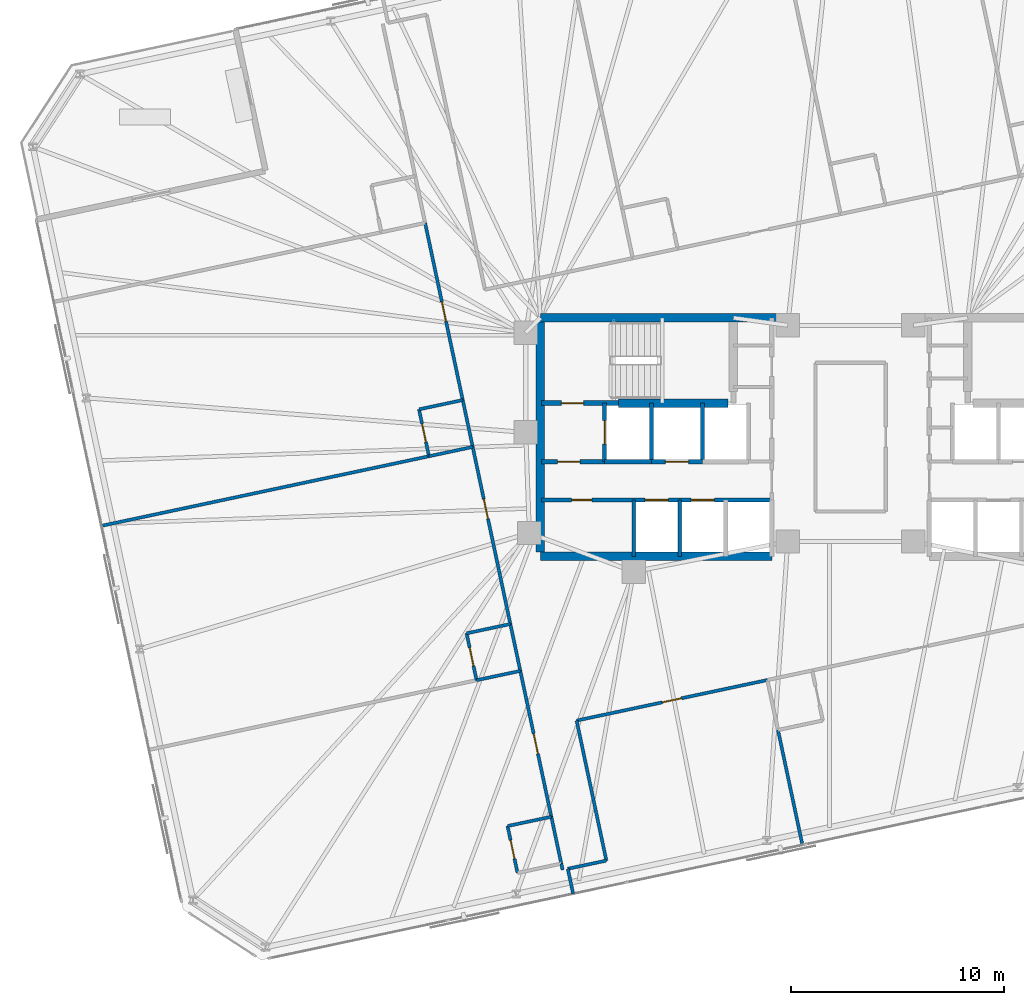
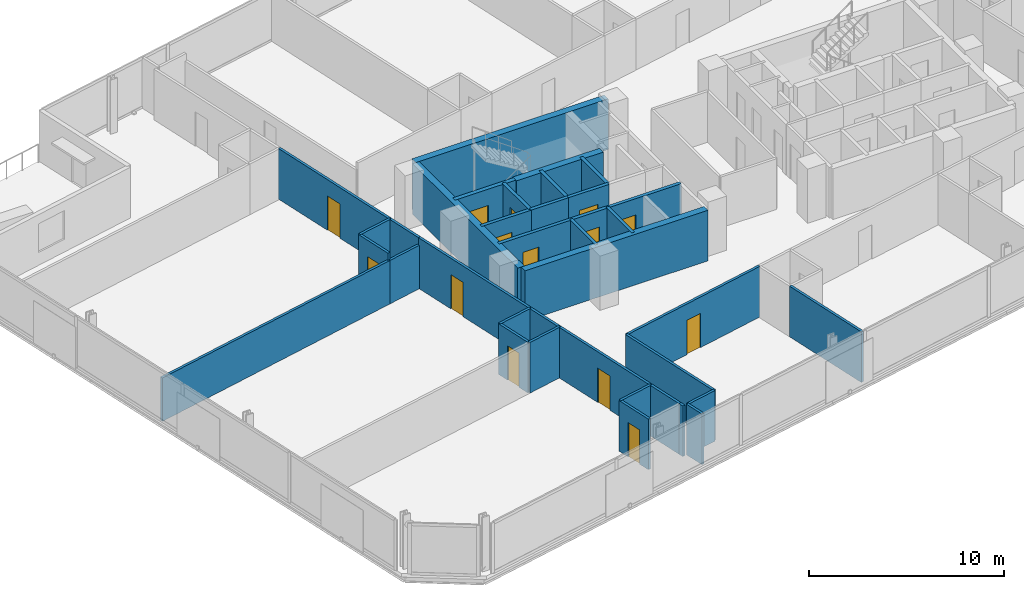
# One storey, part 14 of 20: 35 walls, 14 doors, 14 openings.
"""IFC4 building model written with IfcOpenShell, lengths in metres."""

import ifcopenshell
import ifcopenshell.guid

model = None  # the IFC model being written
_history = None  # IfcOwnerHistory: only IFC2X3 demands one
_inside = {}  # id of a spatial element -> (the spatial element, [elements in it])
_under = {}  # id of a project, library or spatial element -> (it, [spatial elements below it])
_declared = {}  # id of a project -> (the project, [libraries it declares])
_typed = {}  # id of a type object -> (the type object, [elements of that type])
_made_of = {}  # id of a material, layer set ... -> (it, [elements and type objects made of it])


def new_model(schema):
    """Start an empty IFC model of exactly this schema.

    Asked for "IFC4X3", IfcOpenShell would pick the latest addendum, in which some entities
    have other attributes; the version numbers below select the first issue.
    IFC2X3 requires an IfcOwnerHistory on every rooted entity: one is made here for all.
    """
    global model, _history
    if schema == "IFC4X3":
        model = ifcopenshell.file(schema_version=(4, 3, 0, 0))
    else:
        model = ifcopenshell.file(schema=schema)
    _inside.clear()
    _under.clear()
    _declared.clear()
    _typed.clear()
    _made_of.clear()
    _history = None
    if model.schema == "IFC2X3":
        org = make("IfcOrganization", Name="unknown")
        user = make(
            "IfcPersonAndOrganization",
            ThePerson=make("IfcPerson", FamilyName="unknown"),
            TheOrganization=org,
        )
        app = make(
            "IfcApplication",
            ApplicationDeveloper=org,
            Version="unknown",
            ApplicationFullName="unknown",
            ApplicationIdentifier="unknown",
        )
        _history = make(
            "IfcOwnerHistory",
            OwningUser=user,
            OwningApplication=app,
            ChangeAction="ADDED",
            CreationDate=0,
        )
    return model


def make(cls, **values):
    """One entity of the class cls with the attributes given. An attribute that is None is left unset."""
    return model.create_entity(
        cls, **{name: value for name, value in values.items() if value is not None}
    )


def rooted(cls, **values):
    """An entity with a GlobalId (a new one), such as an element, a storey or a relation."""
    return make(cls, GlobalId=ifcopenshell.guid.new(), OwnerHistory=_history, **values)


def si_unit(unit_type, name, prefix=None):
    """IfcSIUnit, for example si_unit("LENGTHUNIT", "METRE", prefix="MILLI")."""
    return make("IfcSIUnit", UnitType=unit_type, Prefix=prefix, Name=name)


def assignment(units):
    """IfcUnitAssignment: the units of a project."""
    return None if units is None else make("IfcUnitAssignment", Units=units)


def point(xyz):
    """IfcCartesianPoint."""
    return None if xyz is None else make("IfcCartesianPoint", Coordinates=xyz)


def direction(xyz):
    """IfcDirection."""
    return None if xyz is None else make("IfcDirection", DirectionRatios=xyz)


def frame(location, z_axis=None, x_axis=None):
    """IfcAxis2Placement3D, a coordinate frame: its origin and axes. An axis left out is left unset."""
    return make(
        "IfcAxis2Placement3D",
        Location=point(location),
        Axis=direction(z_axis),
        RefDirection=direction(x_axis),
    )


def frame_2d(location, x_axis=None):
    """IfcAxis2Placement2D, a coordinate frame in the plane: its origin and x axis."""
    return make(
        "IfcAxis2Placement2D", Location=point(location), RefDirection=direction(x_axis)
    )


def origin():
    """The frame at (0, 0, 0) with its axes left unset."""
    return frame((0.0, 0.0, 0.0))


def place(relative_to, where):
    """IfcLocalPlacement: puts the frame where relative to a parent placement (None: the world)."""
    return make(
        "IfcLocalPlacement", PlacementRelTo=relative_to, RelativePlacement=where
    )


def context(
    kind, dimensions, precision=None, world=None, true_north=None, identifier=None
):
    """IfcGeometricRepresentationContext, for example the 3D "Model" context."""
    return make(
        "IfcGeometricRepresentationContext",
        ContextIdentifier=identifier,
        ContextType=kind,
        CoordinateSpaceDimension=dimensions,
        Precision=precision,
        WorldCoordinateSystem=world,
        TrueNorth=true_north,
    )


def subcontext(parent, identifier, kind, view, scale=None):
    """IfcGeometricRepresentationSubContext, for example "Body" below "Model"."""
    return make(
        "IfcGeometricRepresentationSubContext",
        ContextIdentifier=identifier,
        ContextType=kind,
        ParentContext=parent,
        TargetScale=scale,
        TargetView=view,
    )


def project(units=None, contexts=None):
    """IfcProject with its units and contexts."""
    return rooted(
        "IfcProject",
        Name="project",
        RepresentationContexts=contexts,
        UnitsInContext=assignment(units),
    )


def spatial(cls, under=None, at=None, **own):
    """A site, building, storey or space (cls), placed at a placement, below another one or the project."""
    s = rooted(cls, ObjectPlacement=at, **own)
    if under is not None:
        _under.setdefault(under.id(), (under, []))[1].append(s)
    return s


def profile(cls, at=None, kind="AREA", **sizes):
    """A parametric profile (cls). Its sizes go by their IFC names, for example OverallWidth=200.0."""
    return make(cls, ProfileType=kind, Position=at, **sizes)


def rectangle(**sizes):
    """IfcRectangleProfileDef."""
    return profile("IfcRectangleProfileDef", **sizes)


def extrude(swept, where, along, depth):
    """IfcExtrudedAreaSolid: the profile swept, set in the frame where, extruded along a direction by depth."""
    return make(
        "IfcExtrudedAreaSolid",
        SweptArea=swept,
        Position=where,
        ExtrudedDirection=direction(along),
        Depth=depth,
    )


def shape(context_of_items, identifier, shape_type, items):
    """IfcShapeRepresentation: the items that make up one representation, for example the "Body"."""
    return make(
        "IfcShapeRepresentation",
        ContextOfItems=context_of_items,
        RepresentationIdentifier=identifier,
        RepresentationType=shape_type,
        Items=items,
    )


def material(Name=None, Category=None):
    """IfcMaterial."""
    return make("IfcMaterial", Name=Name, Category=Category)


def layer(
    of_material, thickness, ventilated=None, Name=None, Category=None, Priority=None
):
    """IfcMaterialLayer: one layer of a wall or slab, of a material (None: an air gap)."""
    return make(
        "IfcMaterialLayer",
        Material=of_material,
        LayerThickness=thickness,
        IsVentilated=ventilated,
        Name=Name,
        Category=Category,
        Priority=Priority,
    )


def layer_set(layers, Name=None):
    """IfcMaterialLayerSet."""
    return make("IfcMaterialLayerSet", MaterialLayers=layers, LayerSetName=Name)


def made_of(thing, what):
    """Note that an element or type object is made of a material, layer set ...; save() writes the relation."""
    if what is not None:
        _made_of.setdefault(what.id(), (what, []))[1].append(thing)
    return thing


def type_object(cls, material=None, **own):
    """A type object (cls), such as IfcWallType, which elements share."""
    return made_of(rooted(cls, **own), material)


def element(
    cls,
    number,
    at=None,
    inside=None,
    cuts=None,
    type_object=None,
    material=None,
    context=None,
    identifier="Body",
    shape_type=None,
    held_by="IfcProductDefinitionShape",
    body=None,
    shapes=None,
    **own,
):
    """One element of the class cls, such as IfcWall. Its Tag is "e" and its number.

    at: its placement. inside: the storey or other place that contains it. cuts: it is an
    opening in that element (IfcRelVoidsElement). A single representation is given by context,
    identifier, shape_type and body (its items); several are given by shapes. held_by: the class
    of the entity that holds the representations. save() writes the other relations.
    """
    e = rooted(cls, Tag="e%d" % number, ObjectPlacement=at, **own)
    if body is not None:
        shapes = [shape(context, identifier, shape_type, body)]
    if shapes is not None:
        e.Representation = make(held_by, Representations=shapes)
    if inside is not None:
        _inside.setdefault(inside.id(), (inside, []))[1].append(e)
    if cuts is not None:
        rooted(
            "IfcRelVoidsElement", RelatingBuildingElement=cuts, RelatedOpeningElement=e
        )
    if type_object is not None:
        _typed.setdefault(type_object.id(), (type_object, []))[1].append(e)
    return made_of(e, material)


def fill(opening, filler):
    """IfcRelFillsElement: the door or window that sits in an opening."""
    return rooted(
        "IfcRelFillsElement",
        RelatingOpeningElement=opening,
        RelatedBuildingElement=filler,
    )


def aggregate(whole, parts):
    """IfcRelAggregates: a whole, such as a stair, and the parts it consists of."""
    return rooted("IfcRelAggregates", RelatingObject=whole, RelatedObjects=parts)


def save(model, path):
    """Write the relations noted so far, then the file.

    IfcRelAggregates (storeys below a building ...), IfcRelContainedInSpatialStructure (elements
    in a storey), IfcRelDefinesByType, IfcRelAssociatesMaterial and IfcRelDeclares: one each for
    every whole, place, type object, material and project.
    """
    for whole, parts in _under.values():
        aggregate(whole, parts)
    for where, things in _inside.values():
        rooted(
            "IfcRelContainedInSpatialStructure",
            RelatedElements=things,
            RelatingStructure=where,
        )
    for kind, things in _typed.values():
        rooted("IfcRelDefinesByType", RelatedObjects=things, RelatingType=kind)
    for what, things in _made_of.values():
        rooted("IfcRelAssociatesMaterial", RelatedObjects=things, RelatingMaterial=what)
    for by, libraries in _declared.values():
        rooted("IfcRelDeclares", RelatingContext=by, RelatedDefinitions=libraries)
    model.write(path)


model = new_model("IFC4")

# Units and contexts
model_context = context("Model", 3, precision=1e-05, world=origin(), true_north=direction((0.0, 1.0)))
body_context = subcontext(model_context, "Body", "Model", "MODEL_VIEW")
ifc_project = project(units=[si_unit("LENGTHUNIT", "METRE"), si_unit("AREAUNIT", "SQUARE_METRE"), si_unit("VOLUMEUNIT", "CUBIC_METRE"), si_unit("PLANEANGLEUNIT", "RADIAN"), si_unit("MASSUNIT", "GRAM", prefix="KILO")], contexts=[model_context])

# Site, building, storey
site_placement = place(None, origin())
site = spatial("IfcSite", under=ifc_project, at=site_placement, CompositionType="ELEMENT")
building_placement = place(site_placement, origin())
building = spatial("IfcBuilding", under=site, at=building_placement, Name="Menara Jurai Vektor", CompositionType="ELEMENT")
storey_placement = place(building_placement, frame((0.0, 0.0, 175.199951171875)))
storey = spatial("IfcBuildingStorey", under=building, at=storey_placement, Name="L45", CompositionType="ELEMENT", Elevation=175.199951171875)

# Wall, opening, door
ifc_material_1 = material(Name="Concrete C40/50", Category="concrete")
ifc_layer_1 = layer(ifc_material_1, 0.25)
ifc_layer_set_1 = layer_set([ifc_layer_1], Name="Concrete C40/50")
wall_type_1 = type_object("IfcWallType", Name="INT-WALL-CORE-250", PredefinedType="STANDARD", material=ifc_layer_set_1)
wall_1_placement = place(storey_placement, frame((-14.5, 1.60009765625, 0.0), z_axis=(0.0, 0.0, 1.0), x_axis=(1.0, 0.0, 0.0)))
wall_1 = element("IfcWall", 1, at=wall_1_placement, inside=storey, type_object=wall_type_1, Name="Interior Wall IW-250 L45", PredefinedType="STANDARD", context=body_context, shape_type="SweptSolid", body=[
    extrude(rectangle(XDim=3.60009765625, YDim=0.25, at=frame_2d((1.800048828125, 0.0))), origin(), (0.0, 0.0, 1.0), 3.175048828125),
])
opening_1_placement = place(wall_1_placement, frame((0.919921875, 0.0, 0.0)))
opening_1 = element("IfcOpeningElement", 2, at=opening_1_placement, cuts=wall_1, Name="Opening D-L45-ST1", PredefinedType="OPENING", context=body_context, shape_type="SweptSolid", body=[
    extrude(rectangle(XDim=1.050048828125, YDim=2.14990234375, at=frame_2d((0.52490234375, 1.074951171875))), frame((0.0, 0.135009765625, 0.0), z_axis=(0.0, -1.0, 0.0), x_axis=(1.0, 0.0, 0.0)), (0.0, 0.0, 1.0), 0.27001953125),
])
ifc_material_2 = material(Name="Fire-Rated Steel Door", Category="steel")
door_type_1 = type_object("IfcDoorType", Name="DR-STAIR-1050", OperationType="NOTDEFINED", PredefinedType="DOOR", material=ifc_material_2)
door_1_placement = place(opening_1_placement, origin())
door_1 = element("IfcDoor", 3, at=door_1_placement, inside=storey, type_object=door_type_1, Name="Exit Stair ST1 Door L45", OperationType="SINGLE_SWING_RIGHT", OverallHeight=2.14990234375, OverallWidth=1.050048828125, PredefinedType="DOOR", context=body_context, shape_type="SweptSolid", body=[
    extrude(rectangle(XDim=1.050048828125, YDim=2.14990234375, at=frame_2d((0.52490234375, 1.074951171875))), frame((0.0, 0.02490234375, 0.0), z_axis=(0.0, -1.0, 0.0), x_axis=(1.0, 0.0, 0.0)), (0.0, 0.0, 1.0), 0.050048828125),
])
fill(opening_1, door_1)

wall_2_placement = place(storey_placement, frame((-11.550048828125, -1.14990234375, 0.0), z_axis=(0.0, 0.0, 1.0), x_axis=(0.0, 1.0, 0.0)))
wall_2 = element("IfcWall", 4, at=wall_2_placement, inside=storey, type_object=wall_type_1, Name="Interior Wall IW-250 L45", PredefinedType="STANDARD", context=body_context, shape_type="SweptSolid", body=[
    extrude(rectangle(XDim=2.75, YDim=0.199951171875, at=frame_2d((1.375, 0.0))), origin(), (0.0, 0.0, 1.0), 3.175048828125),
])
opening_2_placement = place(wall_2_placement, frame((0.824951171875, 0.0, 0.0)))
opening_2 = element("IfcOpeningElement", 5, at=opening_2_placement, cuts=wall_2, Name="Opening LD-L45-FL1", PredefinedType="OPENING", context=body_context, shape_type="SweptSolid", body=[
    extrude(rectangle(XDim=1.10009765625, YDim=2.14990234375, at=frame_2d((0.550048828125, 1.074951171875))), frame((0.0, 0.10986328125, 0.0), z_axis=(0.0, -1.0, 0.0), x_axis=(1.0, 0.0, 0.0)), (0.0, 0.0, 1.0), 0.219970703125),
])
ifc_material_3 = material(Name="Stainless Steel Sliding Lift Landing Door", Category="steel")
door_type_2 = type_object("IfcDoorType", Name="DR-LIFT-FIRE-1100", OperationType="NOTDEFINED", PredefinedType="DOOR", material=ifc_material_3)
door_2_placement = place(opening_2_placement, origin())
door_2 = element("IfcDoor", 6, at=door_2_placement, inside=storey, type_object=door_type_2, Name="Lift Landing Door FL1 L45", OperationType="SLIDING_TO_RIGHT", OverallHeight=2.14990234375, OverallWidth=1.10009765625, PredefinedType="DOOR", context=body_context, shape_type="SweptSolid", body=[
    extrude(rectangle(XDim=1.10009765625, YDim=2.14990234375, at=frame_2d((0.550048828125, 1.074951171875))), frame((0.0, 0.02490234375, 0.0), z_axis=(0.0, -1.0, 0.0), x_axis=(1.0, 0.0, 0.0)), (0.0, 0.0, 1.0), 0.050048828125),
])
fill(opening_2, door_2)

# Wall
wall_3_placement = place(storey_placement, frame((-9.35009765625, -1.14990234375, 0.0), z_axis=(0.0, 0.0, 1.0), x_axis=(0.0, 1.0, 0.0)))
element("IfcWall", 7, at=wall_3_placement, inside=storey, type_object=wall_type_1, Name="Interior Wall IW-250 L45", PredefinedType="STANDARD", context=body_context, shape_type="SweptSolid", body=[
    extrude(rectangle(XDim=2.75, YDim=0.199951171875, at=frame_2d((1.375, 0.0))), origin(), (0.0, 0.0, 1.0), 3.175048828125),
])

# Wall, opening, door
wall_4_placement = place(storey_placement, frame((-14.5, -1.14990234375, 0.0), z_axis=(0.0, 0.0, 1.0), x_axis=(1.0, 0.0, 0.0)))
wall_4 = element("IfcWall", 8, at=wall_4_placement, inside=storey, type_object=wall_type_1, Name="Interior Wall IW-250 L45", PredefinedType="STANDARD", context=body_context, shape_type="SweptSolid", body=[
    extrude(rectangle(XDim=2.949951171875, YDim=0.199951171875, at=frame_2d((1.47509765625, 0.0))), origin(), (0.0, 0.0, 1.0), 3.175048828125),
])
opening_3_placement = place(wall_4_placement, frame((0.75, 0.0, 0.0)))
opening_3 = element("IfcOpeningElement", 9, at=opening_3_placement, cuts=wall_4, Name="Opening D-L45-FFW", PredefinedType="OPENING", context=body_context, shape_type="SweptSolid", body=[
    extrude(rectangle(XDim=1.050048828125, YDim=2.179931640625, at=frame_2d((0.52490234375, 1.08984375))), frame((0.0, 0.10986328125, 0.0), z_axis=(0.0, -1.0, 0.0), x_axis=(1.0, 0.0, 0.0)), (0.0, 0.0, 1.0), 0.219970703125),
])
ifc_material_4 = material(Name="Fire-Rated Timber Door", Category="wood")
door_type_3 = type_object("IfcDoorType", Name="DR-LOBBY-1050", OperationType="NOTDEFINED", PredefinedType="DOOR", material=ifc_material_4)
door_3_placement = place(opening_3_placement, origin())
door_3 = element("IfcDoor", 10, at=door_3_placement, inside=storey, type_object=door_type_3, Name="Fire Lift Lobby Door W L45", OperationType="SINGLE_SWING_RIGHT", OverallHeight=2.179931640625, OverallWidth=1.050048828125, PredefinedType="DOOR", context=body_context, shape_type="SweptSolid", body=[
    extrude(rectangle(XDim=1.050048828125, YDim=2.179931640625, at=frame_2d((0.52490234375, 1.08984375))), frame((0.0, 0.02490234375, 0.0), z_axis=(0.0, -1.0, 0.0), x_axis=(1.0, 0.0, 0.0)), (0.0, 0.0, 1.0), 0.050048828125),
])
fill(opening_3, door_3)

# Walls
wall_5_placement = place(storey_placement, frame((-11.550048828125, -1.14990234375, 0.0), z_axis=(0.0, 0.0, 1.0), x_axis=(1.0, 0.0, 0.0)))
element("IfcWall", 11, at=wall_5_placement, inside=storey, type_object=wall_type_1, Name="Interior Wall IW-250 L45", PredefinedType="STANDARD", context=body_context, shape_type="SweptSolid", body=[
    extrude(rectangle(XDim=2.199951171875, YDim=0.199951171875, at=frame_2d((1.10009765625, 0.0))), origin(), (0.0, 0.0, 1.0), 3.175048828125),
])
ifc_material_5 = material(Name="Gypsum Fireboard Partition", Category="gypsum")
ifc_layer_2 = layer(ifc_material_5, 0.14990234375)
ifc_layer_set_2 = layer_set([ifc_layer_2], Name="Gypsum Fireboard Partition")
wall_type_2 = type_object("IfcWallType", Name="INT-WALL-CORR-150", PredefinedType="PARTITIONING", material=ifc_layer_set_2)
wall_6_placement = place(storey_placement, frame((-13.274169921875, -20.264892578125, 0.0), z_axis=(0.0, 0.0, 1.0), x_axis=(0.978160192495, 0.207852442415, 0.0)))
element("IfcWall", 12, at=wall_6_placement, inside=storey, type_object=wall_type_2, Name="Interior Wall IW-150 L45", PredefinedType="PARTITIONING", context=body_context, shape_type="SweptSolid", body=[
    extrude(rectangle(XDim=1.849853515625, YDim=0.14990234375, at=frame_2d((0.9248046875, 0.0))), origin(), (0.0, 0.0, 1.0), 3.175048828125),
])
wall_7_placement = place(storey_placement, frame((-11.464599609375, -19.88037109375, 0.0), z_axis=(0.0, 0.0, 1.0), x_axis=(-0.207916109912, 0.978146661416, 0.0)))
element("IfcWall", 13, at=wall_7_placement, inside=storey, type_object=wall_type_2, Name="Interior Wall IW-150 L45", PredefinedType="PARTITIONING", context=body_context, shape_type="SweptSolid", body=[
    extrude(rectangle(XDim=6.72021484375, YDim=0.14990234375, at=frame_2d((3.360107421875, 0.0))), origin(), (0.0, 0.0, 1.0), 3.175048828125),
])

# Wall, opening, door
wall_8_placement = place(storey_placement, frame((-12.86181640625, -13.30712890625, 0.0), z_axis=(0.0, 0.0, 1.0), x_axis=(0.978149904805, 0.207900850719, 0.0)))
wall_8 = element("IfcWall", 14, at=wall_8_placement, inside=storey, type_object=wall_type_2, Name="Interior Wall IW-150 L45", PredefinedType="PARTITIONING", context=body_context, shape_type="SweptSolid", body=[
    extrude(rectangle(XDim=9.156005859375, YDim=0.14990234375, at=frame_2d((4.578125, 0.0))), origin(), (0.0, 0.0, 1.0), 3.175048828125),
])
opening_4_placement = place(wall_8_placement, frame((4.117919921875, 0.0, 0.0)))
opening_4 = element("IfcOpeningElement", 15, at=opening_4_placement, cuts=wall_8, Name="Opening D45-16", PredefinedType="OPENING", context=body_context, shape_type="SweptSolid", body=[
    extrude(rectangle(XDim=0.919921875, YDim=2.14990234375, at=frame_2d((0.4599609375, 1.074951171875))), frame((0.0, 0.0849609375, 0.0), z_axis=(0.0, -1.0, 0.0), x_axis=(1.0, 0.0, 0.0)), (0.0, 0.0, 1.0), 0.169921875),
])
ifc_material_6 = material(Name="Solid Core Timber Fire Door", Category="wood")
door_type_4 = type_object("IfcDoorType", Name="DR-ENTRY-950", OperationType="NOTDEFINED", PredefinedType="DOOR", material=ifc_material_6)
door_4_placement = place(opening_4_placement, origin())
door_4 = element("IfcDoor", 16, at=door_4_placement, inside=storey, type_object=door_type_4, Name="Interior Door D45-16", OperationType="SINGLE_SWING_LEFT", OverallHeight=2.14990234375, OverallWidth=0.919921875, PredefinedType="DOOR", context=body_context, shape_type="SweptSolid", body=[
    extrude(rectangle(XDim=0.919921875, YDim=2.14990234375, at=frame_2d((0.4599609375, 1.074951171875))), frame((0.0, 0.02490234375, 0.0), z_axis=(0.0, -1.0, 0.0), x_axis=(1.0, 0.0, 0.0)), (0.0, 0.0, 1.0), 0.050048828125),
])
fill(opening_4, door_4)

# Wall
wall_9_placement = place(storey_placement, frame((-13.518798828125, -20.31689453125, 0.0), z_axis=(0.0, 0.0, 1.0), x_axis=(-0.207527808066, 0.978229118806, 0.0)))
element("IfcWall", 17, at=wall_9_placement, inside=storey, type_object=wall_type_2, Name="Interior Wall IW-150 L45", PredefinedType="PARTITIONING", context=body_context, shape_type="SweptSolid", body=[
    extrude(rectangle(XDim=0.300048828125, YDim=0.14990234375, at=frame_2d((0.14990234375, 0.0))), origin(), (0.0, 0.0, 1.0), 3.175048828125),
])

# Wall, opening, door
wall_10_placement = place(storey_placement, frame((-14.048828125, -17.822509765625, 0.0), z_axis=(0.0, 0.0, 1.0), x_axis=(-0.207940096132, 0.978141562567, 0.0)))
wall_10 = element("IfcWall", 18, at=wall_10_placement, inside=storey, type_object=wall_type_2, Name="Interior Wall IW-150 L45", PredefinedType="PARTITIONING", context=body_context, shape_type="SweptSolid", body=[
    extrude(rectangle(XDim=7.0, YDim=0.14990234375, at=frame_2d((3.5, 0.0))), origin(), (0.0, 0.0, 1.0), 3.175048828125),
])
opening_5_placement = place(wall_10_placement, frame((3.02490234375, 0.0, 0.0)))
opening_5 = element("IfcOpeningElement", 19, at=opening_5_placement, cuts=wall_10, Name="Opening D45-21", PredefinedType="OPENING", context=body_context, shape_type="SweptSolid", body=[
    extrude(rectangle(XDim=0.949951171875, YDim=2.14990234375, at=frame_2d((0.47509765625, 1.074951171875))), frame((0.0, 0.0849609375, 0.0), z_axis=(0.0, -1.0, 0.0), x_axis=(1.0, 0.0, 0.0)), (0.0, 0.0, 1.0), 0.169921875),
])
door_5_placement = place(opening_5_placement, origin())
door_5 = element("IfcDoor", 20, at=door_5_placement, inside=storey, type_object=door_type_4, Name="Interior Door D45-21", OperationType="SINGLE_SWING_RIGHT", OverallHeight=2.14990234375, OverallWidth=0.949951171875, PredefinedType="DOOR", context=body_context, shape_type="SweptSolid", body=[
    extrude(rectangle(XDim=0.949951171875, YDim=2.14990234375, at=frame_2d((0.47509765625, 1.074951171875))), frame((0.0, 0.02490234375, 0.0), z_axis=(0.0, -1.0, 0.0), x_axis=(1.0, 0.0, 0.0)), (0.0, 0.0, 1.0), 0.050048828125),
])
fill(opening_5, door_5)

# Wall
wall_11_placement = place(storey_placement, frame((-13.5810546875, -20.0234375, 0.0), z_axis=(0.0, 0.0, 1.0), x_axis=(-0.207891197838, 0.978151956427, 0.0)))
element("IfcWall", 21, at=wall_11_placement, inside=storey, type_object=wall_type_2, Name="Interior Wall IW-150 L45", PredefinedType="PARTITIONING", context=body_context, shape_type="SweptSolid", body=[
    extrude(rectangle(XDim=2.25, YDim=0.14990234375, at=frame_2d((1.125, 0.0))), origin(), (0.0, 0.0, 1.0), 3.175048828125),
])

# Wall, opening, door
wall_12_placement = place(storey_placement, frame((-15.97216796875, -8.774658203125, 0.0), z_axis=(0.0, 0.0, 1.0), x_axis=(-0.207894825434, 0.97815118543, 0.0)))
wall_12 = element("IfcWall", 22, at=wall_12_placement, inside=storey, type_object=wall_type_2, Name="Interior Wall IW-150 L45", PredefinedType="PARTITIONING", context=body_context, shape_type="SweptSolid", body=[
    extrude(rectangle(XDim=8.5, YDim=0.14990234375, at=frame_2d((4.25, 0.0))), origin(), (0.0, 0.0, 1.0), 3.175048828125),
])
opening_6_placement = place(wall_12_placement, frame((5.050048828125, 0.0, 0.0)))
opening_6 = element("IfcOpeningElement", 23, at=opening_6_placement, cuts=wall_12, Name="Opening D45-23", PredefinedType="OPENING", context=body_context, shape_type="SweptSolid", body=[
    extrude(rectangle(XDim=0.949951171875, YDim=2.14990234375, at=frame_2d((0.47509765625, 1.074951171875))), frame((0.0, 0.0849609375, 0.0), z_axis=(0.0, -1.0, 0.0), x_axis=(1.0, 0.0, 0.0)), (0.0, 0.0, 1.0), 0.169921875),
])
door_6_placement = place(opening_6_placement, origin())
door_6 = element("IfcDoor", 24, at=door_6_placement, inside=storey, type_object=door_type_4, Name="Interior Door D45-23", OperationType="SINGLE_SWING_RIGHT", OverallHeight=2.14990234375, OverallWidth=0.949951171875, PredefinedType="DOOR", context=body_context, shape_type="SweptSolid", body=[
    extrude(rectangle(XDim=0.949951171875, YDim=2.14990234375, at=frame_2d((0.47509765625, 1.074951171875))), frame((0.0, 0.02490234375, 0.0), z_axis=(0.0, -1.0, 0.0), x_axis=(1.0, 0.0, 0.0)), (0.0, 0.0, 1.0), 0.050048828125),
])
fill(opening_6, door_6)

# Wall
wall_13_placement = place(storey_placement, frame((-15.50439453125, -10.9755859375, 0.0), z_axis=(0.0, 0.0, 1.0), x_axis=(-0.207891197838, 0.978151956427, 0.0)))
element("IfcWall", 25, at=wall_13_placement, inside=storey, type_object=wall_type_2, Name="Interior Wall IW-150 L45", PredefinedType="PARTITIONING", context=body_context, shape_type="SweptSolid", body=[
    extrude(rectangle(XDim=2.25, YDim=0.14990234375, at=frame_2d((1.125, 0.0))), origin(), (0.0, 0.0, 1.0), 3.175048828125),
])

# Wall, opening, door
wall_14_placement = place(storey_placement, frame((-18.20703125, 1.740478515625, 0.0), z_axis=(0.0, 0.0, 1.0), x_axis=(-0.207922306475, 0.978145344246, 0.0)))
wall_14 = element("IfcWall", 26, at=wall_14_placement, inside=storey, type_object=wall_type_2, Name="Interior Wall IW-150 L45", PredefinedType="PARTITIONING", context=body_context, shape_type="SweptSolid", body=[
    extrude(rectangle(XDim=8.5, YDim=0.14990234375, at=frame_2d((4.25, 0.0))), origin(), (0.0, 0.0, 1.0), 3.175048828125),
])
opening_7_placement = place(wall_14_placement, frame((3.77490234375, 0.0, 0.0)))
opening_7 = element("IfcOpeningElement", 27, at=opening_7_placement, cuts=wall_14, Name="Opening D45-25", PredefinedType="OPENING", context=body_context, shape_type="SweptSolid", body=[
    extrude(rectangle(XDim=0.949951171875, YDim=2.14990234375, at=frame_2d((0.47509765625, 1.074951171875))), frame((0.0, 0.0849609375, 0.0), z_axis=(0.0, -1.0, 0.0), x_axis=(1.0, 0.0, 0.0)), (0.0, 0.0, 1.0), 0.169921875),
])
door_7_placement = place(opening_7_placement, origin())
door_7 = element("IfcDoor", 28, at=door_7_placement, inside=storey, type_object=door_type_4, Name="Interior Door D45-25", OperationType="SINGLE_SWING_RIGHT", OverallHeight=2.14990234375, OverallWidth=0.949951171875, PredefinedType="DOOR", context=body_context, shape_type="SweptSolid", body=[
    extrude(rectangle(XDim=0.949951171875, YDim=2.14990234375, at=frame_2d((0.47509765625, 1.074951171875))), frame((0.0, 0.02490234375, 0.0), z_axis=(0.0, -1.0, 0.0), x_axis=(1.0, 0.0, 0.0)), (0.0, 0.0, 1.0), 0.050048828125),
])
fill(opening_7, door_7)

# Walls
wall_15_placement = place(storey_placement, frame((-17.7392578125, -0.46044921875, 0.0), z_axis=(0.0, 0.0, 1.0), x_axis=(-0.207891197838, 0.978151956427, 0.0)))
element("IfcWall", 29, at=wall_15_placement, inside=storey, type_object=wall_type_2, Name="Interior Wall IW-150 L45", PredefinedType="PARTITIONING", context=body_context, shape_type="SweptSolid", body=[
    extrude(rectangle(XDim=2.25, YDim=0.14990234375, at=frame_2d((1.125, 0.0))), origin(), (0.0, 0.0, 1.0), 3.175048828125),
])
wall_16_placement = place(storey_placement, frame((-2.25927734375, -19.150390625, 0.0), z_axis=(0.0, 0.0, 1.0), x_axis=(-0.20791588359, 0.978146709523, 0.0)))
element("IfcWall", 30, at=wall_16_placement, inside=storey, type_object=wall_type_2, Name="Interior Wall IW-150 L45", PredefinedType="PARTITIONING", context=body_context, shape_type="SweptSolid", body=[
    extrude(rectangle(XDim=5.52001953125, YDim=0.14990234375, at=frame_2d((2.760009765625, 0.0))), origin(), (0.0, 0.0, 1.0), 3.175048828125),
])
wall_17_placement = place(storey_placement, frame((-13.024658203125, -21.438720703125, 0.0), z_axis=(0.0, 0.0, 1.0), x_axis=(-0.207917150959, 0.978146440129, 0.0)))
element("IfcWall", 31, at=wall_17_placement, inside=storey, type_object=wall_type_2, Name="Interior Wall IW-150 L45", PredefinedType="PARTITIONING", context=body_context, shape_type="SweptSolid", body=[
    extrude(rectangle(XDim=1.199951171875, YDim=0.14990234375, at=frame_2d((0.60009765625, 0.0))), origin(), (0.0, 0.0, 1.0), 3.175048828125),
])

# Wall, opening, door
wall_18_placement = place(storey_placement, frame((-15.63525390625, -20.4599609375, 0.0), z_axis=(0.0, 0.0, 1.0), x_axis=(-0.207913264065, 0.978147266328, 0.0)))
wall_18 = element("IfcWall", 32, at=wall_18_placement, inside=storey, type_object=wall_type_2, Name="Interior Wall IW-150 L45", PredefinedType="PARTITIONING", context=body_context, shape_type="SweptSolid", body=[
    extrude(rectangle(XDim=2.249755859375, YDim=0.14990234375, at=frame_2d((1.125, 0.0))), origin(), (0.0, 0.0, 1.0), 3.175048828125),
])
opening_8_placement = place(wall_18_placement, frame((0.68505859375, 0.0, 0.0)))
opening_8 = element("IfcOpeningElement", 33, at=opening_8_placement, cuts=wall_18, Name="Opening D45-22", PredefinedType="OPENING", context=body_context, shape_type="SweptSolid", body=[
    extrude(rectangle(XDim=0.8798828125, YDim=2.14990234375, at=frame_2d((0.43994140625, 1.074951171875))), frame((0.0, 0.0849609375, 0.0), z_axis=(0.0, -1.0, 0.0), x_axis=(1.0, 0.0, 0.0)), (0.0, 0.0, 1.0), 0.169921875),
])
ifc_material_7 = material(Name="Moisture-Resistant Timber Door", Category="wood")
door_type_5 = type_object("IfcDoorType", Name="DR-BATH-880", OperationType="NOTDEFINED", PredefinedType="DOOR", material=ifc_material_7)
door_8_placement = place(opening_8_placement, origin())
door_8 = element("IfcDoor", 34, at=door_8_placement, inside=storey, type_object=door_type_5, Name="Interior Door D45-22", OperationType="SINGLE_SWING_LEFT", OverallHeight=2.14990234375, OverallWidth=0.8798828125, PredefinedType="DOOR", context=body_context, shape_type="SweptSolid", body=[
    extrude(rectangle(XDim=0.8798828125, YDim=2.14990234375, at=frame_2d((0.43994140625, 1.074951171875))), frame((0.0, 0.02490234375, 0.0), z_axis=(0.0, -1.0, 0.0), x_axis=(1.0, 0.0, 0.0)), (0.0, 0.0, 1.0), 0.050048828125),
])
fill(opening_8, door_8)

# Walls
wall_19_placement = place(storey_placement, frame((-16.10302734375, -18.25927734375, 0.0), z_axis=(0.0, 0.0, 1.0), x_axis=(0.978134617382, 0.207972763311, 0.0)))
element("IfcWall", 35, at=wall_19_placement, inside=storey, type_object=wall_type_2, Name="Interior Wall IW-150 L45", PredefinedType="PARTITIONING", context=body_context, shape_type="SweptSolid", body=[
    extrude(rectangle(XDim=2.10009765625, YDim=0.14990234375, at=frame_2d((1.050048828125, 0.0))), origin(), (0.0, 0.0, 1.0), 3.175048828125),
])
wall_20_placement = place(storey_placement, frame((-17.558349609375, -11.412109375, 0.0), z_axis=(0.0, 0.0, 1.0), x_axis=(0.978153236239, 0.207885176084, 0.0)))
element("IfcWall", 36, at=wall_20_placement, inside=storey, type_object=wall_type_2, Name="Interior Wall IW-150 L45", PredefinedType="PARTITIONING", context=body_context, shape_type="SweptSolid", body=[
    extrude(rectangle(XDim=2.099853515625, YDim=0.14990234375, at=frame_2d((1.0498046875, 0.0))), origin(), (0.0, 0.0, 1.0), 3.175048828125),
])

# Wall, opening, door
wall_21_placement = place(storey_placement, frame((-17.558349609375, -11.412109375, 0.0), z_axis=(0.0, 0.0, 1.0), x_axis=(-0.207891197838, 0.978151956427, 0.0)))
wall_21 = element("IfcWall", 37, at=wall_21_placement, inside=storey, type_object=wall_type_2, Name="Interior Wall IW-150 L45", PredefinedType="PARTITIONING", context=body_context, shape_type="SweptSolid", body=[
    extrude(rectangle(XDim=2.25, YDim=0.14990234375, at=frame_2d((1.125, 0.0))), origin(), (0.0, 0.0, 1.0), 3.175048828125),
])
opening_9_placement = place(wall_21_placement, frame((0.68505859375, 0.0, 0.0)))
opening_9 = element("IfcOpeningElement", 38, at=opening_9_placement, cuts=wall_21, Name="Opening D45-24", PredefinedType="OPENING", context=body_context, shape_type="SweptSolid", body=[
    extrude(rectangle(XDim=0.8798828125, YDim=2.14990234375, at=frame_2d((0.43994140625, 1.074951171875))), frame((0.0, 0.0849609375, 0.0), z_axis=(0.0, -1.0, 0.0), x_axis=(1.0, 0.0, 0.0)), (0.0, 0.0, 1.0), 0.169921875),
])
door_9_placement = place(opening_9_placement, origin())
door_9 = element("IfcDoor", 39, at=door_9_placement, inside=storey, type_object=door_type_5, Name="Interior Door D45-24", OperationType="SINGLE_SWING_LEFT", OverallHeight=2.14990234375, OverallWidth=0.8798828125, PredefinedType="DOOR", context=body_context, shape_type="SweptSolid", body=[
    extrude(rectangle(XDim=0.8798828125, YDim=2.14990234375, at=frame_2d((0.43994140625, 1.074951171875))), frame((0.0, 0.02490234375, 0.0), z_axis=(0.0, -1.0, 0.0), x_axis=(1.0, 0.0, 0.0)), (0.0, 0.0, 1.0), 0.050048828125),
])
fill(opening_9, door_9)

# Wall
wall_22_placement = place(storey_placement, frame((-18.026123046875, -9.211181640625, 0.0), z_axis=(0.0, 0.0, 1.0), x_axis=(0.978153236239, 0.207885176084, 0.0)))
element("IfcWall", 40, at=wall_22_placement, inside=storey, type_object=wall_type_2, Name="Interior Wall IW-150 L45", PredefinedType="PARTITIONING", context=body_context, shape_type="SweptSolid", body=[
    extrude(rectangle(XDim=2.099853515625, YDim=0.14990234375, at=frame_2d((1.0498046875, 0.0))), origin(), (0.0, 0.0, 1.0), 3.175048828125),
])

# Wall, opening, door
wall_23_placement = place(storey_placement, frame((-19.79345703125, -0.897216796875, 0.0), z_axis=(0.0, 0.0, 1.0), x_axis=(-0.207891197838, 0.978151956427, 0.0)))
wall_23 = element("IfcWall", 41, at=wall_23_placement, inside=storey, type_object=wall_type_2, Name="Interior Wall IW-150 L45", PredefinedType="PARTITIONING", context=body_context, shape_type="SweptSolid", body=[
    extrude(rectangle(XDim=2.25, YDim=0.14990234375, at=frame_2d((1.125, 0.0))), origin(), (0.0, 0.0, 1.0), 3.175048828125),
])
opening_10_placement = place(wall_23_placement, frame((0.68505859375, 0.0, 0.0)))
opening_10 = element("IfcOpeningElement", 42, at=opening_10_placement, cuts=wall_23, Name="Opening D45-26", PredefinedType="OPENING", context=body_context, shape_type="SweptSolid", body=[
    extrude(rectangle(XDim=0.8798828125, YDim=2.14990234375, at=frame_2d((0.43994140625, 1.074951171875))), frame((0.0, 0.0849609375, 0.0), z_axis=(0.0, -1.0, 0.0), x_axis=(1.0, 0.0, 0.0)), (0.0, 0.0, 1.0), 0.169921875),
])
door_10_placement = place(opening_10_placement, origin())
door_10 = element("IfcDoor", 43, at=door_10_placement, inside=storey, type_object=door_type_5, Name="Interior Door D45-26", OperationType="SINGLE_SWING_LEFT", OverallHeight=2.14990234375, OverallWidth=0.8798828125, PredefinedType="DOOR", context=body_context, shape_type="SweptSolid", body=[
    extrude(rectangle(XDim=0.8798828125, YDim=2.14990234375, at=frame_2d((0.43994140625, 1.074951171875))), frame((0.0, 0.02490234375, 0.0), z_axis=(0.0, -1.0, 0.0), x_axis=(1.0, 0.0, 0.0)), (0.0, 0.0, 1.0), 0.050048828125),
])
fill(opening_10, door_10)

# Walls
wall_24_placement = place(storey_placement, frame((-20.26123046875, 1.3037109375, 0.0), z_axis=(0.0, 0.0, 1.0), x_axis=(0.978134617382, 0.207972763311, 0.0)))
element("IfcWall", 44, at=wall_24_placement, inside=storey, type_object=wall_type_2, Name="Interior Wall IW-150 L45", PredefinedType="PARTITIONING", context=body_context, shape_type="SweptSolid", body=[
    extrude(rectangle(XDim=2.10009765625, YDim=0.14990234375, at=frame_2d((1.050048828125, 0.0))), origin(), (0.0, 0.0, 1.0), 3.175048828125),
])
ifc_layer_3 = layer(ifc_material_5, 0.14990234375)
ifc_layer_set_3 = layer_set([ifc_layer_3], Name="Gypsum Fireboard Partition")
wall_type_3 = type_object("IfcWallType", Name="INT-WALL-CORR-150-H1", PredefinedType="PARTITIONING", material=ifc_layer_set_3)
wall_25_placement = place(storey_placement, frame((-35.16796875, -4.1650390625, 0.0), z_axis=(0.0, 0.0, 1.0), x_axis=(0.978149296727, 0.207903711638, 0.0)))
element("IfcWall", 45, at=wall_25_placement, inside=storey, type_object=wall_type_3, Name="Interior Wall IW-150 L45", PredefinedType="PARTITIONING", context=body_context, shape_type="SweptSolid", body=[
    extrude(rectangle(XDim=15.718017578125, YDim=0.14990234375, at=frame_2d((7.85888671875, 0.0))), origin(), (0.0, 0.0, 1.0), 2.72509765625),
])
wall_26_placement = place(storey_placement, frame((-19.79345703125, -0.897216796875, 0.0), z_axis=(0.0, 0.0, 1.0), x_axis=(0.978134617382, 0.207972763311, 0.0)))
element("IfcWall", 46, at=wall_26_placement, inside=storey, type_object=wall_type_3, Name="Interior Wall IW-150 L45", PredefinedType="PARTITIONING", context=body_context, shape_type="SweptSolid", body=[
    extrude(rectangle(XDim=2.10009765625, YDim=0.14990234375, at=frame_2d((1.050048828125, 0.0))), origin(), (0.0, 0.0, 1.0), 2.72509765625),
])
ifc_layer_4 = layer(ifc_material_1, 0.199951171875)
ifc_layer_set_4 = layer_set([ifc_layer_4], Name="Concrete C40/50")
wall_type_4 = type_object("IfcWallType", Name="INT-WALL-SHAFT-200", PredefinedType="STANDARD", material=ifc_layer_set_4)
wall_27_placement = place(storey_placement, frame((-6.949951171875, -1.14990234375, 0.0), z_axis=(0.0, 0.0, 1.0), x_axis=(0.0, 1.0, 0.0)))
element("IfcWall", 47, at=wall_27_placement, inside=storey, type_object=wall_type_4, Name="Interior Wall IW-200 L45", PredefinedType="STANDARD", context=body_context, shape_type="SweptSolid", body=[
    extrude(rectangle(XDim=2.75, YDim=0.199951171875, at=frame_2d((1.375, 0.0))), origin(), (0.0, 0.0, 1.0), 3.175048828125),
])

# Wall, opening, door
wall_28_placement = place(storey_placement, frame((-9.35009765625, -1.14990234375, 0.0), z_axis=(0.0, 0.0, 1.0), x_axis=(1.0, 0.0, 0.0)))
wall_28 = element("IfcWall", 48, at=wall_28_placement, inside=storey, type_object=wall_type_4, Name="Interior Wall IW-200 L45", PredefinedType="STANDARD", context=body_context, shape_type="SweptSolid", body=[
    extrude(rectangle(XDim=2.400146484375, YDim=0.199951171875, at=frame_2d((1.2001953125, 0.0))), origin(), (0.0, 0.0, 1.0), 3.175048828125),
])
opening_11_placement = place(wall_28_placement, frame((0.64990234375, 0.0, 0.0)))
opening_11 = element("IfcOpeningElement", 49, at=opening_11_placement, cuts=wall_28, Name="Opening LD-L45-SVL1", PredefinedType="OPENING", context=body_context, shape_type="SweptSolid", body=[
    extrude(rectangle(XDim=1.10009765625, YDim=2.14990234375, at=frame_2d((0.550048828125, 1.074951171875))), frame((0.0, 0.10986328125, 0.0), z_axis=(0.0, -1.0, 0.0), x_axis=(1.0, 0.0, 0.0)), (0.0, 0.0, 1.0), 0.219970703125),
])
ifc_material_8 = material(Name="Anodised Stainless Sliding Lift Landing Door", Category="steel")
door_type_6 = type_object("IfcDoorType", Name="DR-LIFT-PASS-1100", OperationType="NOTDEFINED", PredefinedType="DOOR", material=ifc_material_8)
door_11_placement = place(opening_11_placement, origin())
door_11 = element("IfcDoor", 50, at=door_11_placement, inside=storey, type_object=door_type_6, Name="Lift Landing Door SVL1 L45", OperationType="SLIDING_TO_RIGHT", OverallHeight=2.14990234375, OverallWidth=1.10009765625, PredefinedType="DOOR", context=body_context, shape_type="SweptSolid", body=[
    extrude(rectangle(XDim=1.10009765625, YDim=2.14990234375, at=frame_2d((0.550048828125, 1.074951171875))), frame((0.0, 0.02490234375, 0.0), z_axis=(0.0, -1.0, 0.0), x_axis=(1.0, 0.0, 0.0)), (0.0, 0.0, 1.0), 0.050048828125),
])
fill(opening_11, door_11)

# Wall, openings, doors
wall_29_placement = place(storey_placement, frame((-14.5, -2.949951171875, 0.0), z_axis=(0.0, 0.0, 1.0), x_axis=(1.0, 0.0, 0.0)))
wall_29 = element("IfcWall", 51, at=wall_29_placement, inside=storey, type_object=wall_type_4, Name="Interior Wall IW-200 L45", PredefinedType="STANDARD", context=body_context, shape_type="SweptSolid", body=[
    extrude(rectangle(XDim=10.800048828125, YDim=0.199951171875, at=frame_2d((5.39990234375, 0.0))), origin(), (0.0, 0.0, 1.0), 3.175048828125),
])
opening_12_placement = place(wall_29_placement, frame((4.85009765625, 0.0, 0.0)))
opening_12 = element("IfcOpeningElement", 52, at=opening_12_placement, cuts=wall_29, Name="Opening LD-L45-PM1", PredefinedType="OPENING", context=body_context, shape_type="SweptSolid", body=[
    extrude(rectangle(XDim=1.10009765625, YDim=2.14990234375, at=frame_2d((0.550048828125, 1.074951171875))), frame((0.0, 0.10986328125, 0.0), z_axis=(0.0, -1.0, 0.0), x_axis=(1.0, 0.0, 0.0)), (0.0, 0.0, 1.0), 0.219970703125),
])
opening_13_placement = place(wall_29_placement, frame((7.010009765625, 0.0, 0.0)))
opening_13 = element("IfcOpeningElement", 53, at=opening_13_placement, cuts=wall_29, Name="Opening LD-L45-PM2", PredefinedType="OPENING", context=body_context, shape_type="SweptSolid", body=[
    extrude(rectangle(XDim=1.10009765625, YDim=2.14990234375, at=frame_2d((0.550048828125, 1.074951171875))), frame((0.0, 0.10986328125, 0.0), z_axis=(0.0, -1.0, 0.0), x_axis=(1.0, 0.0, 0.0)), (0.0, 0.0, 1.0), 0.219970703125),
])
opening_14_placement = place(wall_29_placement, frame((1.39990234375, 0.0, 0.0)))
opening_14 = element("IfcOpeningElement", 54, at=opening_14_placement, cuts=wall_29, Name="Opening D45-01", PredefinedType="OPENING", context=body_context, shape_type="SweptSolid", body=[
    extrude(rectangle(XDim=0.949951171875, YDim=2.14990234375, at=frame_2d((0.47509765625, 1.074951171875))), frame((0.0, 0.10986328125, 0.0), z_axis=(0.0, -1.0, 0.0), x_axis=(1.0, 0.0, 0.0)), (0.0, 0.0, 1.0), 0.219970703125),
])
door_12_placement = place(opening_14_placement, origin())
door_12 = element("IfcDoor", 55, at=door_12_placement, inside=storey, type_object=door_type_4, Name="Interior Door D45-01", OperationType="SINGLE_SWING_LEFT", OverallHeight=2.14990234375, OverallWidth=0.949951171875, PredefinedType="DOOR", context=body_context, shape_type="SweptSolid", body=[
    extrude(rectangle(XDim=0.949951171875, YDim=2.14990234375, at=frame_2d((0.47509765625, 1.074951171875))), frame((0.0, 0.02490234375, 0.0), z_axis=(0.0, -1.0, 0.0), x_axis=(1.0, 0.0, 0.0)), (0.0, 0.0, 1.0), 0.050048828125),
])
fill(opening_14, door_12)
door_13_placement = place(opening_12_placement, origin())
door_13 = element("IfcDoor", 56, at=door_13_placement, inside=storey, type_object=door_type_6, Name="Lift Landing Door PM1 L45", OperationType="SLIDING_TO_LEFT", OverallHeight=2.14990234375, OverallWidth=1.10009765625, PredefinedType="DOOR", context=body_context, shape_type="SweptSolid", body=[
    extrude(rectangle(XDim=1.10009765625, YDim=2.14990234375, at=frame_2d((0.550048828125, 1.074951171875))), frame((0.0, 0.02490234375, 0.0), z_axis=(0.0, -1.0, 0.0), x_axis=(1.0, 0.0, 0.0)), (0.0, 0.0, 1.0), 0.050048828125),
])
fill(opening_12, door_13)
door_14_placement = place(opening_13_placement, origin())
door_14 = element("IfcDoor", 57, at=door_14_placement, inside=storey, type_object=door_type_6, Name="Lift Landing Door PM2 L45", OperationType="SLIDING_TO_LEFT", OverallHeight=2.14990234375, OverallWidth=1.10009765625, PredefinedType="DOOR", context=body_context, shape_type="SweptSolid", body=[
    extrude(rectangle(XDim=1.10009765625, YDim=2.14990234375, at=frame_2d((0.550048828125, 1.074951171875))), frame((0.0, 0.02490234375, 0.0), z_axis=(0.0, -1.0, 0.0), x_axis=(1.0, 0.0, 0.0)), (0.0, 0.0, 1.0), 0.050048828125),
])
fill(opening_13, door_14)

# Walls
for number, where, z_axis, x_axis, name in (
    (58, (-10.179931640625, -5.60009765625, 0.0), (0.0, 0.0, 1.0), (0.0, 1.0, 0.0), "Interior Wall IW-200 L45"),
    (59, (-8.02001953125, -5.60009765625, 0.0), (0.0, 0.0, 1.0), (0.0, 1.0, 0.0), "Interior Wall IW-200 L45"),
):
    element("IfcWall", number, at=place(storey_placement, frame(where, z_axis=z_axis, x_axis=x_axis)), inside=storey, type_object=wall_type_4, Name=name, PredefinedType="STANDARD", context=body_context, shape_type="SweptSolid", body=[
        extrude(rectangle(XDim=2.650146484375, YDim=0.179931640625, at=frame_2d((1.3251953125, 0.0))), origin(), (0.0, 0.0, 1.0), 3.175048828125),
    ])
ifc_material_9 = material(Name="Concrete C50/60", Category="concrete")
ifc_layer_5 = layer(ifc_material_9, 0.39990234375)
ifc_layer_set_5 = layer_set([ifc_layer_5], Name="Concrete C50/60")
wall_type_5 = type_object("IfcWallType", Name="STR-WALL-CORE400", PredefinedType="SHEAR", material=ifc_layer_set_5)
wall_30_placement = place(storey_placement, frame((-14.56005859375, 5.60009765625, 0.0), z_axis=(0.0, 0.0, 1.0), x_axis=(1.0, 0.0, 0.0)))
element("IfcWall", 60, at=wall_30_placement, inside=storey, type_object=wall_type_5, Name="Core Shear Wall CW-W-N L45", PredefinedType="SHEAR", context=body_context, shape_type="SweptSolid", body=[
    extrude(rectangle(XDim=11.41015625, YDim=0.39990234375, at=frame_2d((5.705078125, 0.0))), origin(), (0.0, 0.0, 1.0), 3.175048828125),
])
wall_31_placement = place(storey_placement, frame((-14.56005859375, -5.60009765625, 0.0), z_axis=(0.0, 0.0, 1.0), x_axis=(1.0, 0.0, 0.0)))
element("IfcWall", 61, at=wall_31_placement, inside=storey, type_object=wall_type_5, Name="Core Shear Wall CW-W-S L45", PredefinedType="SHEAR", context=body_context, shape_type="SweptSolid", body=[
    extrude(rectangle(XDim=10.860107421875, YDim=0.39990234375, at=frame_2d((5.43017578125, 0.0))), origin(), (0.0, 0.0, 1.0), 3.175048828125),
])
wall_32_placement = place(storey_placement, frame((-14.56005859375, -5.39990234375, 0.0), z_axis=(0.0, 0.0, 1.0), x_axis=(0.0, 1.0, 0.0)))
element("IfcWall", 62, at=wall_32_placement, inside=storey, type_object=wall_type_5, Name="Core Shear Wall CW-W-W L45", PredefinedType="SHEAR", context=body_context, shape_type="SweptSolid", body=[
    extrude(rectangle(XDim=10.7998046875, YDim=0.39990234375, at=frame_2d((5.39990234375, 0.0))), origin(), (0.0, 0.0, 1.0), 3.175048828125),
])
wall_33_placement = place(storey_placement, frame((-10.89990234375, 1.60009765625, 0.0), z_axis=(0.0, 0.0, 1.0), x_axis=(1.0, 0.0, 0.0)))
element("IfcWall", 63, at=wall_33_placement, inside=storey, type_object=wall_type_5, Name="Core Shear Wall CW-W-STS L45", PredefinedType="SHEAR", context=body_context, shape_type="SweptSolid", body=[
    extrude(rectangle(XDim=5.14990234375, YDim=0.39990234375, at=frame_2d((2.574951171875, 0.0))), origin(), (0.0, 0.0, 1.0), 3.175048828125),
])

save(model, "model.ifc")
